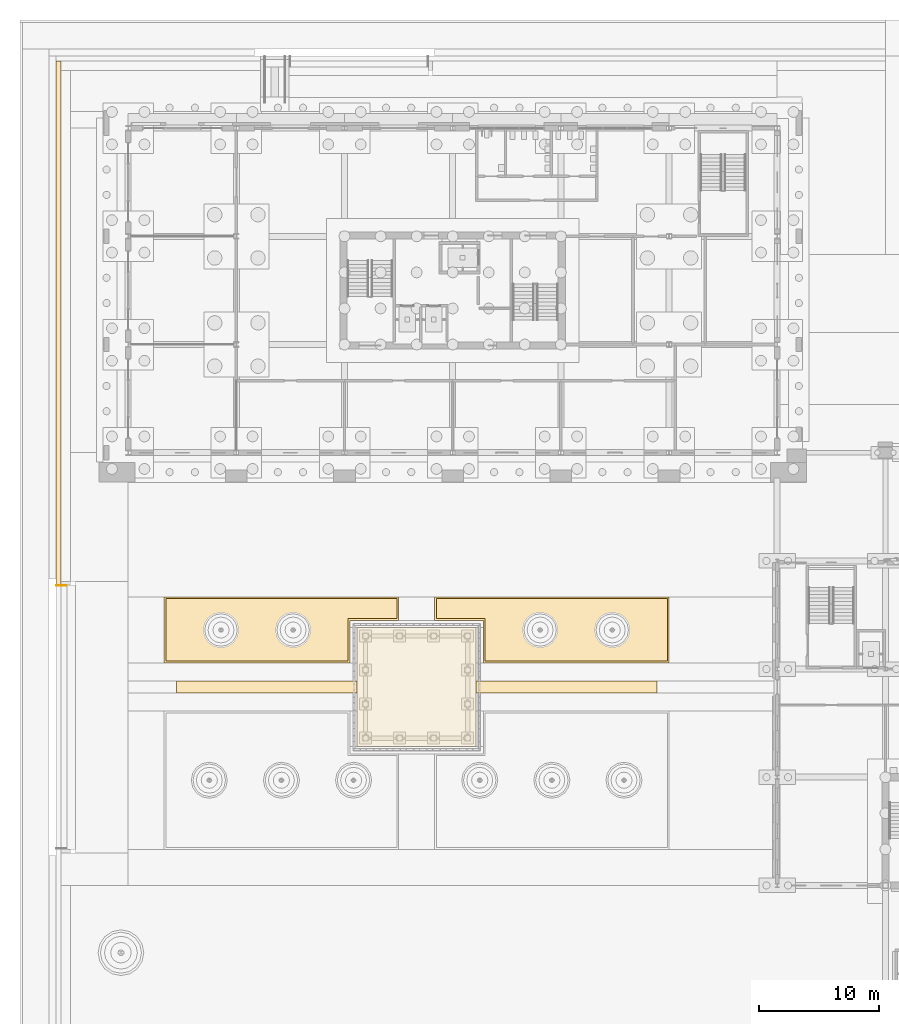
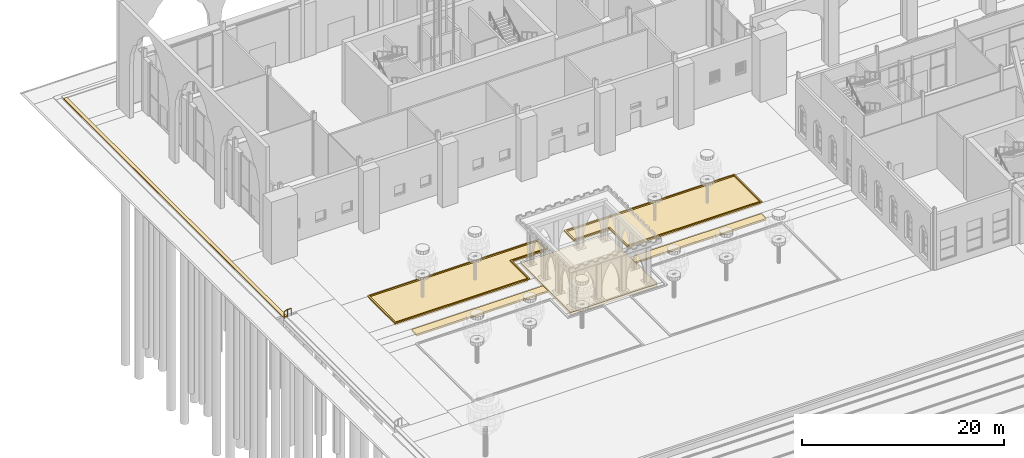
# One storey, part 180 of 250: 10 coverings, 1 railing.
"""IFC4 building model written with IfcOpenShell, lengths in metres."""

from ifc_helpers import new_model, si_unit, direction, frame, origin, origin_2d, place, context, subcontext, project, spatial, polyline, circle, outline, extrude, material, layer, layer_set, type_object, element, save


model = new_model("IFC4")

# Units and contexts
model_context = context("Model", 3, precision=1e-05, world=origin(), true_north=direction((0.0, 1.0)))
body_context = subcontext(model_context, "Body", "Model", "MODEL_VIEW")
ifc_project = project(units=[si_unit("LENGTHUNIT", "METRE"), si_unit("AREAUNIT", "SQUARE_METRE"), si_unit("VOLUMEUNIT", "CUBIC_METRE"), si_unit("PLANEANGLEUNIT", "RADIAN"), si_unit("MASSUNIT", "GRAM", prefix="KILO")], contexts=[model_context])

# Site, building, storey
site_placement = place(None, origin())
site = spatial("IfcSite", under=ifc_project, at=site_placement, CompositionType="ELEMENT")
building_placement = place(site_placement, origin())
building = spatial("IfcBuilding", under=site, at=building_placement, Name="Baradari Gate Terminus", CompositionType="ELEMENT")
storey_placement = place(building_placement, origin())
storey = spatial("IfcBuildingStorey", under=building, at=storey_placement, Name="L00", CompositionType="ELEMENT", Elevation=0.0)

# Coverings
ifc_material_1 = material(Name="Concrete kerb", Category="concrete")
ifc_layer_1 = layer(ifc_material_1, 0.14990234375)
ifc_layer_set_1 = layer_set([ifc_layer_1], Name="Concrete kerb")
covering_type_1 = type_object("IfcCoveringType", Name="Concrete kerb CK-1 150", PredefinedType="USERDEFINED", material=ifc_layer_set_1)
covering_1_placement = place(storey_placement, origin())
element("IfcCovering", 1, at=covering_1_placement, inside=storey, type_object=covering_type_1, Name="Kerb of West Court bed 2", ObjectType="KERB", PredefinedType="USERDEFINED", context=body_context, shape_type="SweptSolid", body=[
    extrude(outline(polyline([(31.5, 105.0), (12.0, 105.0), (12.0, 99.5), (27.449951171875, 99.5), (27.449951171875, 103.050048828125), (31.5, 103.050048828125), (31.5, 105.0)]), holes=[polyline([(12.14990234375, 99.64990234375), (12.14990234375, 104.85009765625), (31.35009765625, 104.85009765625), (31.35009765625, 103.199951171875), (27.300048828125, 103.199951171875), (27.300048828125, 99.64990234375), (12.14990234375, 99.64990234375)])]), origin(), (0.0, 0.0, 1.0), 0.14990234375),
])
covering_2_placement = place(storey_placement, origin())
element("IfcCovering", 2, at=covering_2_placement, inside=storey, type_object=covering_type_1, Name="Kerb of West Court bed 4", ObjectType="KERB", PredefinedType="USERDEFINED", context=body_context, shape_type="SweptSolid", body=[
    extrude(outline(polyline([(54.0, 105.0), (34.5, 105.0), (34.5, 103.050048828125), (38.550048828125, 103.050048828125), (38.550048828125, 99.5), (54.0, 99.5), (54.0, 105.0)]), holes=[polyline([(34.64990234375, 103.199951171875), (34.64990234375, 104.85009765625), (53.85009765625, 104.85009765625), (53.85009765625, 99.64990234375), (38.699951171875, 99.64990234375), (38.699951171875, 103.199951171875), (34.64990234375, 103.199951171875)])]), origin(), (0.0, 0.0, 1.0), 0.14990234375),
])

# Railing
ifc_material_2 = material(Name="Stainless steel 1.4301", Category="steel")
railing_type = type_object("IfcRailingType", Name="Handrail HR-1 900", PredefinedType="HANDRAIL", material=ifc_material_2)
railing_placement = place(storey_placement, frame((3.050048828125, 105.93994140625, -0.11376953125)))
element("IfcRailing", 3, at=railing_placement, inside=storey, type_object=railing_type, Name="Handrail of West gate steps 2", PredefinedType="HANDRAIL", context=body_context, shape_type="SweptSolid", body=[
    extrude(circle(Radius=0.02392578125, at=origin_2d()), frame((0.0, 0.0, 0.8759765625), z_axis=(0.950980408871, 0.0, 0.309251130868), x_axis=(0.0, 1.0, 0.0)), (0.0, 0.0, 1.0), 0.367919921875),
    extrude(circle(Radius=0.02392578125, at=origin_2d()), frame((0.349853515625, 0.0, 0.98974609375), z_axis=(1.0, 0.0, 0.0), x_axis=(0.0, 1.0, 0.0)), (0.0, 0.0, 1.0), 0.4501953125),
    extrude(circle(Radius=0.02099609375, at=origin_2d()), origin(), (0.0, 0.0, 1.0), 0.851806640625),
    extrude(circle(Radius=0.02099609375, at=origin_2d()), frame((0.349853515625, 0.0, 0.11376953125)), (0.0, 0.0, 1.0), 0.851806640625),
    extrude(circle(Radius=0.02099609375, at=origin_2d()), frame((0.800048828125, 0.0, 0.11376953125)), (0.0, 0.0, 1.0), 0.851806640625),
])

# Coverings
ifc_material_3 = material(Name="Planted lawn")
ifc_layer_2 = layer(ifc_material_3, 0.300048828125)
ifc_layer_set_2 = layer_set([ifc_layer_2], Name="Planted lawn")
covering_type_2 = type_object("IfcCoveringType", Name="Planted lawn bed LW-1 300", PredefinedType="USERDEFINED", material=ifc_layer_set_2)
covering_3_placement = place(storey_placement, frame((0.0, 0.0, -0.300048828125)))
element("IfcCovering", 4, at=covering_3_placement, inside=storey, type_object=covering_type_2, Name="West Court lawn bed 2", ObjectType="LAWN", PredefinedType="USERDEFINED", context=body_context, shape_type="SweptSolid", body=[
    extrude(outline(polyline([(12.14990234375, 104.85009765625), (12.14990234375, 99.64990234375), (27.300048828125, 99.64990234375), (27.300048828125, 103.199951171875), (31.35009765625, 103.199951171875), (31.35009765625, 104.85009765625), (12.14990234375, 104.85009765625)])), origin(), (0.0, 0.0, 1.0), 0.300048828125),
])
covering_4_placement = place(storey_placement, frame((0.0, 0.0, -0.300048828125)))
element("IfcCovering", 5, at=covering_4_placement, inside=storey, type_object=covering_type_2, Name="West Court lawn bed 4", ObjectType="LAWN", PredefinedType="USERDEFINED", context=body_context, shape_type="SweptSolid", body=[
    extrude(outline(polyline([(34.64990234375, 104.85009765625), (34.64990234375, 103.199951171875), (38.699951171875, 103.199951171875), (38.699951171875, 99.64990234375), (53.85009765625, 99.64990234375), (53.85009765625, 104.85009765625), (34.64990234375, 104.85009765625)])), origin(), (0.0, 0.0, 1.0), 0.300048828125),
])
covering_5_placement = place(storey_placement, frame((0.0, 0.0, -0.300048828125)))
element("IfcCovering", 6, at=covering_5_placement, inside=storey, type_object=covering_type_2, Name="Planted lawn 15", ObjectType="LAWN", PredefinedType="USERDEFINED", context=body_context, shape_type="SweptSolid", body=[
    extrude(outline(polyline([(28.050048828125, 97.0), (28.050048828125, 92.550048828125), (37.949951171875, 92.550048828125), (37.949951171875, 97.0), (37.949951171875, 98.0), (37.949951171875, 102.449951171875), (28.050048828125, 102.449951171875), (28.050048828125, 98.0), (28.050048828125, 97.0)])), origin(), (0.0, 0.0, 1.0), 0.300048828125),
])
ifc_material_4 = material(Name="Sandstone paving", Category="masonry")
ifc_layer_3 = layer(ifc_material_4, 0.10009765625)
ifc_layer_set_3 = layer_set([ifc_layer_3], Name="Sandstone paving")
covering_type_3 = type_object("IfcCoveringType", Name="Rill lining RL-1 100", PredefinedType="USERDEFINED", material=ifc_layer_set_3)
covering_6_placement = place(storey_placement, frame((0.0, 0.0, -0.300048828125)))
element("IfcCovering", 7, at=covering_6_placement, inside=storey, type_object=covering_type_3, Name="West Court rill lining", ObjectType="LINING", PredefinedType="USERDEFINED", context=body_context, shape_type="SweptSolid", body=[
    extrude(outline(polyline([(13.0, 97.0), (28.050048828125, 97.0), (28.050048828125, 98.0), (13.0, 98.0), (13.0, 97.0)])), origin(), (0.0, 0.0, 1.0), 0.10009765625),
])
covering_7_placement = place(storey_placement, frame((0.0, 0.0, -0.300048828125)))
element("IfcCovering", 8, at=covering_7_placement, inside=storey, type_object=covering_type_3, Name="West Court rill lining", ObjectType="LINING", PredefinedType="USERDEFINED", context=body_context, shape_type="SweptSolid", body=[
    extrude(outline(polyline([(53.0, 98.0), (37.949951171875, 98.0), (37.949951171875, 97.0), (53.0, 97.0), (53.0, 98.0)])), origin(), (0.0, 0.0, 1.0), 0.10009765625),
])
ifc_material_5 = material(Name="Water")
ifc_layer_4 = layer(ifc_material_5, 0.139892578125)
ifc_layer_set_4 = layer_set([ifc_layer_4], Name="Water")
covering_type_4 = type_object("IfcCoveringType", Name="Rill water surface WT-1 140", PredefinedType="USERDEFINED", material=ifc_layer_set_4)
covering_8_placement = place(storey_placement, frame((0.0, 0.0, -0.199951171875)))
element("IfcCovering", 9, at=covering_8_placement, inside=storey, type_object=covering_type_4, Name="West Court rill water", ObjectType="WATER", PredefinedType="USERDEFINED", context=body_context, shape_type="SweptSolid", body=[
    extrude(outline(polyline([(13.0, 97.0), (28.050048828125, 97.0), (28.050048828125, 98.0), (13.0, 98.0), (13.0, 97.0)])), origin(), (0.0, 0.0, 1.0), 0.139892578125),
])
covering_9_placement = place(storey_placement, frame((0.0, 0.0, -0.199951171875)))
element("IfcCovering", 10, at=covering_9_placement, inside=storey, type_object=covering_type_4, Name="West Court rill water", ObjectType="WATER", PredefinedType="USERDEFINED", context=body_context, shape_type="SweptSolid", body=[
    extrude(outline(polyline([(53.0, 98.0), (37.949951171875, 98.0), (37.949951171875, 97.0), (53.0, 97.0), (53.0, 98.0)])), origin(), (0.0, 0.0, 1.0), 0.139892578125),
])
ifc_material_6 = material(Name="Sandstone", Category="masonry")
ifc_layer_5 = layer(ifc_material_6, 0.080078125)
ifc_layer_set_5 = layer_set([ifc_layer_5], Name="Sandstone")
covering_type_5 = type_object("IfcCoveringType", Name="Stone coping CG-1 80", PredefinedType="CLADDING", material=ifc_layer_set_5)
covering_10_placement = place(storey_placement, origin())
element("IfcCovering", 11, at=covering_10_placement, inside=storey, type_object=covering_type_5, Name="Stone coping W3", PredefinedType="CLADDING", context=body_context, shape_type="SweptSolid", body=[
    extrude(outline(polyline([(3.39990234375, 106.0), (3.39990234375, 149.60009765625), (3.0, 149.60009765625), (3.0, 106.0), (3.39990234375, 106.0)])), origin(), (0.0, 0.0, 1.0), 0.080078125),
])

save(model, "model.ifc")
